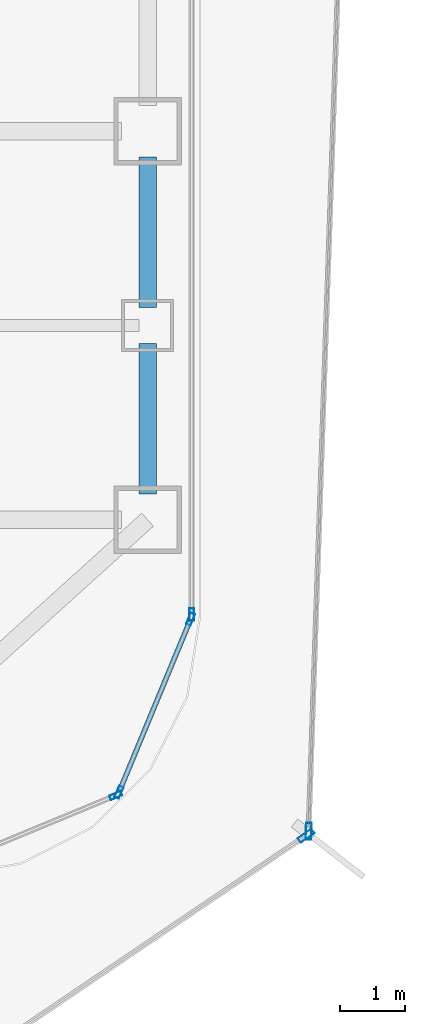
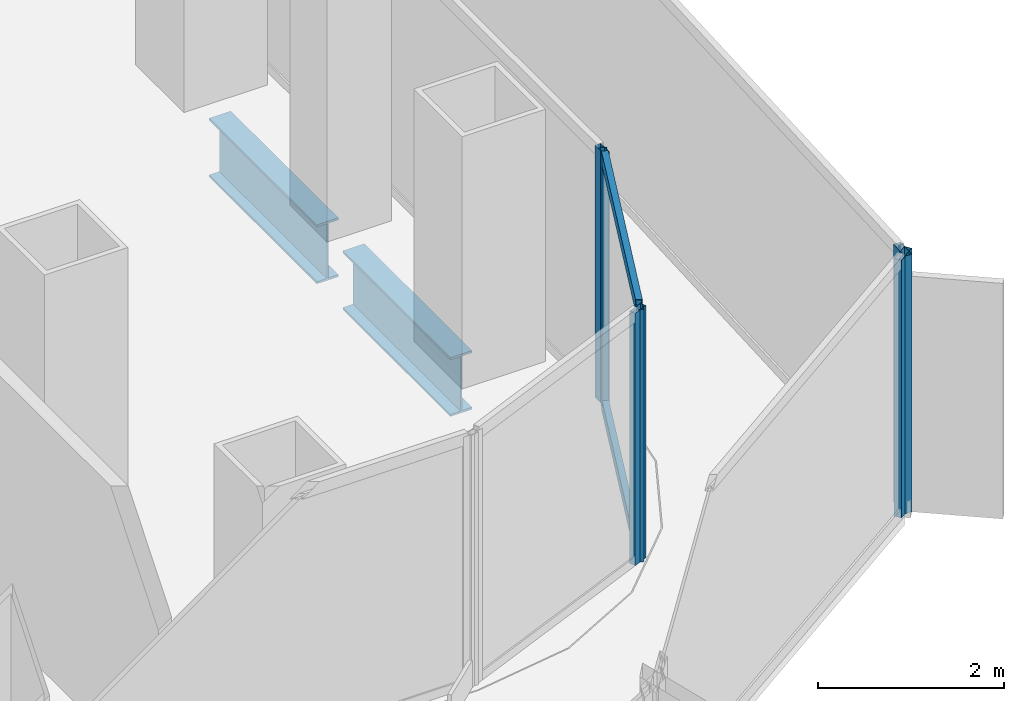
# One storey, part 8 of 22: 8 members, 2 beams, 5 elements without a shape of their own.
"""IFC4 building model written with IfcOpenShell, lengths in metres."""

from ifc_helpers import new_model, si_unit, direction, frame, origin, origin_2d, place, context, subcontext, project, spatial, hollow_rectangle, i_section, extrude, source, transform, mapped, material, layer, layer_set, material_profile, profile_set, type_object, element, aggregate, save


model = new_model("IFC4")

# Units and contexts
model_context = context("Model", 3, precision=1e-05, world=origin(), true_north=direction((0.0, 1.0)))
body_context = subcontext(model_context, "Body", "Model", "MODEL_VIEW")
ifc_project = project(units=[si_unit("LENGTHUNIT", "METRE"), si_unit("AREAUNIT", "SQUARE_METRE"), si_unit("VOLUMEUNIT", "CUBIC_METRE"), si_unit("PLANEANGLEUNIT", "RADIAN"), si_unit("MASSUNIT", "GRAM", prefix="KILO")], contexts=[model_context])

# Site, building, storey
site_placement = place(None, origin())
site = spatial("IfcSite", under=ifc_project, at=site_placement, CompositionType="ELEMENT")
building_placement = place(site_placement, origin())
building = spatial("IfcBuilding", under=site, at=building_placement, Name="Kolveth Station Tower", CompositionType="ELEMENT")
storey_placement = place(building_placement, frame((0.0, 0.0, 65.699951171875)))
storey = spatial("IfcBuildingStorey", under=building, at=storey_placement, Name="L17", CompositionType="ELEMENT", Elevation=65.699951171875)

# Beams
ifc_material_1 = material(Name="Steel S355", Category="steel")
ifc_material_profile_1 = material_profile(ifc_material_1, i_section(OverallWidth=0.26904296875, OverallDepth=0.77490234375, WebThickness=0.01708984375, FlangeThickness=0.0283203125, at=origin_2d()), Name="W760x220")
ifc_profile_set_1 = profile_set([ifc_material_profile_1], Name="Steel S355")
beam_type = type_object("IfcBeamType", Name="Beam_SP1", PredefinedType="SPANDREL", material=ifc_profile_set_1)
shared_shape_1 = source(origin(), body_context, "Body", "SweptSolid", [
    extrude(i_section(OverallWidth=0.26904296875, OverallDepth=0.77490234375, WebThickness=0.01708984375, FlangeThickness=0.0283203125, at=origin_2d()), origin(), (0.0, 0.0, 1.0), 2.320068359375),
])
for number, where, z_axis, x_axis, name in (
    (1, (46.199951171875, 5.89990234375, -0.66748046875), (0.0, 1.0, 0.0), (-1.0, 0.0, 0.0), "L17 Perimeter Spandrel BM-L17-PE-1"),
    (2, (46.199951171875, 8.780029296875, -0.66748046875), (0.0, 1.0, 0.0), (-1.0, 0.0, 0.0), "L17 Perimeter Spandrel BM-L17-PE-2"),
):
    element("IfcBeam", number, at=place(storey_placement, frame(where, z_axis=z_axis, x_axis=x_axis)), inside=storey, type_object=beam_type, Name=name, PredefinedType="SPANDREL", context=body_context, shape_type="MappedRepresentation", body=[
        mapped(shared_shape_1, transform((0.0, 0.0, 0.0), x_axis=(1.0, 0.0, 0.0), y_axis=(0.0, 1.0, 0.0), z_axis=(0.0, 0.0, 1.0), scale=1.0)),
    ])

# Curtain wall, member
ifc_material_2 = material(Name="Aluminium 6063-T6 and low-E dark glass", Category="aluminium")
ifc_layer_1 = layer(ifc_material_2, 0.179931640625)
ifc_layer_set_1 = layer_set([ifc_layer_1], Name="Aluminium 6063-T6 and low-E dark glass")
curtain_wall_type_1 = type_object("IfcCurtainWallType", Name="CurtainWall_CW-Z1", PredefinedType="NOTDEFINED", material=ifc_layer_set_1)
curtain_wall_1_placement = place(storey_placement, origin())
curtain_wall_1 = element("IfcCurtainWall", 3, at=curtain_wall_1_placement, inside=storey, type_object=curtain_wall_type_1, Name="L17 Inner Thermal Curtain Wall 1", PredefinedType="NOTDEFINED")
ifc_material_3 = material(Name="Black anodized aluminium 6063-T6", Category="aluminium")
ifc_material_profile_2 = material_profile(ifc_material_3, hollow_rectangle(XDim=0.074951171875, YDim=0.18994140625, WallThickness=0.0048828125, at=origin_2d()), Name="ALU-75x190x5")
ifc_profile_set_2 = profile_set([ifc_material_profile_2], Name="Black anodized aluminium 6063-T6")
member_type_1 = type_object("IfcMemberType", Name="Mullion_ML1", PredefinedType="MULLION", material=ifc_profile_set_2)
shared_shape_2 = source(origin(), body_context, "Body", "SweptSolid", [
    extrude(hollow_rectangle(XDim=0.074951171875, YDim=0.18994140625, WallThickness=0.0048828125, at=origin_2d()), origin(), (0.0, 0.0, 1.0), 3.320068359375),
])
member_1_placement = place(storey_placement, frame((45.708984375, 1.241943359375, 0.0), z_axis=(0.0, 0.0, 1.0), x_axis=(-0.382672990201, 0.923883857728, 0.0)))
member_1 = element("IfcMember", 4, at=member_1_placement, type_object=member_type_1, Name="CW-Z1 mullion 2", PredefinedType="MULLION", context=body_context, shape_type="MappedRepresentation", body=[
    mapped(shared_shape_2, transform((0.0, 0.0, 0.0), x_axis=(1.0, 0.0, 0.0), y_axis=(0.0, 1.0, 0.0), z_axis=(0.0, 0.0, 1.0), scale=1.0)),
])
aggregate(curtain_wall_1, [member_1])

# Curtain wall, members
curtain_wall_2_placement = place(storey_placement, origin())
curtain_wall_2 = element("IfcCurtainWall", 5, at=curtain_wall_2_placement, inside=storey, type_object=curtain_wall_type_1, Name="L17 Inner Thermal Curtain Wall 2", PredefinedType="NOTDEFINED")
member_2_placement = place(storey_placement, frame((45.758056640625, 1.291015625, 0.0), z_axis=(0.0, 0.0, 1.0), x_axis=(-0.923883857728, 0.382672990201, 0.0)))
member_2 = element("IfcMember", 6, at=member_2_placement, type_object=member_type_1, Name="CW-Z1 mullion 1", PredefinedType="MULLION", context=body_context, shape_type="MappedRepresentation", body=[
    mapped(shared_shape_2, transform((0.0, 0.0, 0.0), x_axis=(1.0, 0.0, 0.0), y_axis=(0.0, 1.0, 0.0), z_axis=(0.0, 0.0, 1.0), scale=1.0)),
])
member_3_placement = place(storey_placement, frame((46.86572265625, 3.96533203125, 0.0), z_axis=(0.0, 0.0, 1.0), x_axis=(-0.923883857728, 0.382672990201, 0.0)))
member_3 = element("IfcMember", 7, at=member_3_placement, type_object=member_type_1, Name="CW-Z1 mullion 2", PredefinedType="MULLION", context=body_context, shape_type="MappedRepresentation", body=[
    mapped(shared_shape_2, transform((0.0, 0.0, 0.0), x_axis=(1.0, 0.0, 0.0), y_axis=(0.0, 1.0, 0.0), z_axis=(0.0, 0.0, 1.0), scale=1.0)),
])

# Curtain wall, member
curtain_wall_3_placement = place(storey_placement, origin())
curtain_wall_3 = element("IfcCurtainWall", 8, at=curtain_wall_3_placement, inside=storey, type_object=curtain_wall_type_1, Name="L17 Inner Thermal Curtain Wall 3", PredefinedType="NOTDEFINED")
member_4_placement = place(storey_placement, frame((46.8798828125, 4.03759765625, 0.0), z_axis=(0.0, 0.0, 1.0), x_axis=(-1.0, 0.0, 0.0)))
member_4 = element("IfcMember", 9, at=member_4_placement, type_object=member_type_1, Name="CW-Z1 mullion 1", PredefinedType="MULLION", context=body_context, shape_type="MappedRepresentation", body=[
    mapped(shared_shape_2, transform((0.0, 0.0, 0.0), x_axis=(1.0, 0.0, 0.0), y_axis=(0.0, 1.0, 0.0), z_axis=(0.0, 0.0, 1.0), scale=1.0)),
])
aggregate(curtain_wall_3, [member_4])

# Member
ifc_material_profile_3 = material_profile(ifc_material_3, hollow_rectangle(XDim=0.074951171875, YDim=0.159912109375, WallThickness=0.0048828125, at=origin_2d()), Name="ALU-75x160x5")
ifc_profile_set_3 = profile_set([ifc_material_profile_3], Name="Black anodized aluminium 6063-T6")
member_type_2 = type_object("IfcMemberType", Name="Transom_TR1", PredefinedType="USERDEFINED", material=ifc_profile_set_3)
shared_shape_3 = source(origin(), body_context, "Body", "SweptSolid", [
    extrude(hollow_rectangle(XDim=0.074951171875, YDim=0.159912109375, WallThickness=0.0048828125, at=origin_2d()), origin(), (0.0, 0.0, 1.0), 2.819580078125),
])
member_5_placement = place(storey_placement, frame((45.772216796875, 1.32568359375, 0.03759765625), z_axis=(0.382708655389, 0.923869084389, 0.0), x_axis=(-0.923869084389, 0.382708655389, 0.0)))
member_5 = element("IfcMember", 10, at=member_5_placement, type_object=member_type_2, Name="CW-Z1 transom 1.1", ObjectType="TRANSOM", PredefinedType="USERDEFINED", context=body_context, shape_type="MappedRepresentation", body=[
    mapped(shared_shape_3, transform((0.0, 0.0, 0.0), x_axis=(1.0, 0.0, 0.0), y_axis=(0.0, 1.0, 0.0), z_axis=(0.0, 0.0, 1.0), scale=1.0)),
])

member_6_placement = place(storey_placement, frame((45.772216796875, 1.32568359375, 3.282470703125), z_axis=(0.382708655389, 0.923869084389, 0.0), x_axis=(-0.923869084389, 0.382708655389, 0.0)))
member_6 = element("IfcMember", 11, at=member_6_placement, type_object=member_type_2, Name="CW-Z1 transom 1.2", ObjectType="TRANSOM", PredefinedType="USERDEFINED", context=body_context, shape_type="MappedRepresentation", body=[
    mapped(shared_shape_3, transform((0.0, 0.0, 0.0), x_axis=(1.0, 0.0, 0.0), y_axis=(0.0, 1.0, 0.0), z_axis=(0.0, 0.0, 1.0), scale=1.0)),
])

aggregate(curtain_wall_2, [member_2, member_3, member_5, member_6])

# Curtain wall, member
ifc_material_4 = material(Name="Black anodized aluminium 6063-T6 and dark solar glass", Category="aluminium")
ifc_layer_2 = layer(ifc_material_4, 0.159912109375)
ifc_layer_set_2 = layer_set([ifc_layer_2], Name="Black anodized aluminium 6063-T6 and dark solar glass")
curtain_wall_type_2 = type_object("IfcCurtainWallType", Name="OUTER SKIN CW-OS", PredefinedType="NOTDEFINED", material=ifc_layer_set_2)
curtain_wall_4_placement = place(storey_placement, origin())
curtain_wall_4 = element("IfcCurtainWall", 12, at=curtain_wall_4_placement, inside=storey, type_object=curtain_wall_type_2, Name="L17 Outer Ventilated Skin Curtain Wall 1", PredefinedType="NOTDEFINED")
ifc_material_profile_4 = material_profile(ifc_material_3, hollow_rectangle(XDim=0.090087890625, YDim=0.260009765625, WallThickness=0.0048828125, at=origin_2d()), Name="ALU-90x260x5")
ifc_profile_set_4 = profile_set([ifc_material_profile_4], Name="Black anodized aluminium 6063-T6")
member_type_3 = type_object("IfcMemberType", Name="FIN MULLION ML-OS", PredefinedType="MULLION", material=ifc_profile_set_4)
shared_shape_4 = source(origin(), body_context, "Body", "SweptSolid", [
    extrude(hollow_rectangle(XDim=0.090087890625, YDim=0.260009765625, WallThickness=0.0048828125, at=origin_2d()), origin(), (0.0, 0.0, 1.0), 3.39013671875),
])
member_7_placement = place(storey_placement, frame((48.649658203125, 0.6201171875, 0.0), z_axis=(0.0, 0.0, 1.0), x_axis=(-0.560392118841, 0.828227428392, 0.0)))
member_7 = element("IfcMember", 13, at=member_7_placement, type_object=member_type_3, Name="CW-OS mullion 2", PredefinedType="MULLION", context=body_context, shape_type="MappedRepresentation", body=[
    mapped(shared_shape_4, transform((0.0, 0.0, 0.0), x_axis=(1.0, 0.0, 0.0), y_axis=(0.0, 1.0, 0.0), z_axis=(0.0, 0.0, 1.0), scale=1.0)),
])
aggregate(curtain_wall_4, [member_7])

curtain_wall_5_placement = place(storey_placement, origin())
curtain_wall_5 = element("IfcCurtainWall", 14, at=curtain_wall_5_placement, inside=storey, type_object=curtain_wall_type_2, Name="L17 Outer Ventilated Skin Curtain Wall 2", PredefinedType="NOTDEFINED")
member_8_placement = place(storey_placement, frame((48.6884765625, 0.690185546875, 0.0), z_axis=(0.0, 0.0, 1.0), x_axis=(-0.999396307707, 0.034742195394, 0.0)))
member_8 = element("IfcMember", 15, at=member_8_placement, type_object=member_type_3, Name="CW-OS mullion 1", PredefinedType="MULLION", context=body_context, shape_type="MappedRepresentation", body=[
    mapped(shared_shape_4, transform((0.0, 0.0, 0.0), x_axis=(1.0, 0.0, 0.0), y_axis=(0.0, 1.0, 0.0), z_axis=(0.0, 0.0, 1.0), scale=1.0)),
])
aggregate(curtain_wall_5, [member_8])

save(model, "model.ifc")
